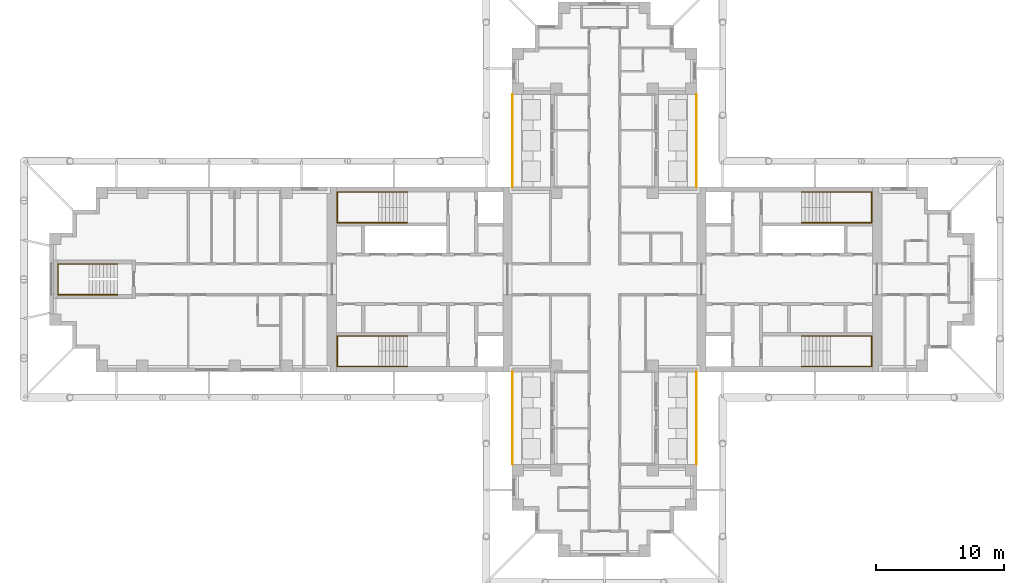
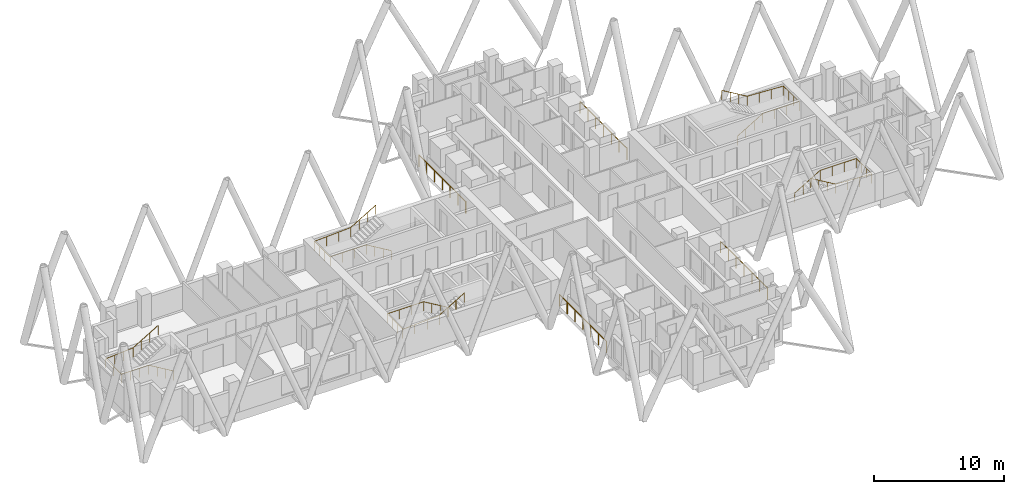
# One storey, part 11 of 12: 9 railings.
"""IFC4 building model written with IfcOpenShell, lengths in metres."""

from ifc_helpers import new_model, si_unit, direction, frame, origin, origin_2d, place, context, subcontext, project, spatial, circle, extrude, material, type_object, element, save


model = new_model("IFC4")

# Units and contexts
model_context = context("Model", 3, precision=1e-05, world=origin(), true_north=direction((0.0, 1.0)))
body_context = subcontext(model_context, "Body", "Model", "MODEL_VIEW")
ifc_project = project(units=[si_unit("LENGTHUNIT", "METRE"), si_unit("AREAUNIT", "SQUARE_METRE"), si_unit("VOLUMEUNIT", "CUBIC_METRE"), si_unit("PLANEANGLEUNIT", "RADIAN"), si_unit("MASSUNIT", "GRAM", prefix="KILO")], contexts=[model_context])

# Site, building, storey
site_placement = place(None, origin())
site = spatial("IfcSite", under=ifc_project, at=site_placement, CompositionType="ELEMENT")
building_placement = place(site_placement, origin())
building = spatial("IfcBuilding", under=site, at=building_placement, Name="Fustian Cross Tower", CompositionType="ELEMENT")
storey_placement = place(building_placement, frame((0.0, 0.0, 179.699951171875)))
storey = spatial("IfcBuildingStorey", under=building, at=storey_placement, Name="L56", CompositionType="ELEMENT", Elevation=179.699951171875)

# Railings
ifc_material_1 = material(Name="Stainless steel and glass", Category="steel")
railing_type_1 = type_object("IfcRailingType", Name="GR1 BALCONY GUARD 1100", PredefinedType="GUARDRAIL", material=ifc_material_1)
for number, where, name in (
    (1, (7.14990234375, 7.199951171875, 0.0), "Balcony guard"),
    (2, (-7.14990234375, 7.199951171875, 0.0), "Balcony guard"),
    (3, (7.14990234375, -14.39990234375, 0.0), "Balcony guard"),
    (4, (-7.14990234375, -14.39990234375, 0.0), "Balcony guard"),
):
    element("IfcRailing", number, at=place(storey_placement, frame(where)), inside=storey, type_object=railing_type_1, Name=name, PredefinedType="GUARDRAIL", context=body_context, shape_type="SweptSolid", body=[
        extrude(circle(Radius=0.02392578125, at=origin_2d()), frame((0.0, 0.0, 1.076171875), z_axis=(0.0, 1.0, 0.0), x_axis=(-1.0, 0.0, 0.0)), (0.0, 0.0, 1.0), 7.199951171875),
        extrude(circle(Radius=0.02099609375, at=origin_2d()), origin(), (0.0, 0.0, 1.0), 1.052001953125),
        extrude(circle(Radius=0.02099609375, at=origin_2d()), frame((0.0, 1.199951171875, 0.0)), (0.0, 0.0, 1.0), 1.052001953125),
        extrude(circle(Radius=0.02099609375, at=origin_2d()), frame((0.0, 2.39990234375, 0.0)), (0.0, 0.0, 1.0), 1.052001953125),
        extrude(circle(Radius=0.02099609375, at=origin_2d()), frame((0.0, 3.60009765625, 0.0)), (0.0, 0.0, 1.0), 1.052001953125),
        extrude(circle(Radius=0.02099609375, at=origin_2d()), frame((0.0, 4.800048828125, 0.0)), (0.0, 0.0, 1.0), 1.052001953125),
        extrude(circle(Radius=0.02099609375, at=origin_2d()), frame((0.0, 6.0, 0.0)), (0.0, 0.0, 1.0), 1.052001953125),
        extrude(circle(Radius=0.02099609375, at=origin_2d()), frame((0.0, 7.199951171875, 0.0)), (0.0, 0.0, 1.0), 1.052001953125),
    ])
ifc_material_2 = material(Name="Stainless steel", Category="steel")
railing_type_2 = type_object("IfcRailingType", Name="STAIR HANDRAIL", PredefinedType="HANDRAIL", material=ifc_material_2)
railing_1_placement = place(storey_placement, frame((15.35009765625, 4.39990234375, 0.166748046875)))
element("IfcRailing", 5, at=railing_1_placement, inside=storey, type_object=railing_type_2, Name="Stair ST1 handrail 1", PredefinedType="HANDRAIL", context=body_context, shape_type="SweptSolid", body=[
    extrude(circle(Radius=0.02490234375, at=origin_2d()), frame((0.0, 0.0, 0.875), z_axis=(0.859305625298, 0.0, 0.511462454469), x_axis=(0.0, 1.0, 0.0)), (0.0, 0.0, 1.0), 2.606689453125),
    extrude(circle(Radius=0.02490234375, at=origin_2d()), frame((2.239990234375, 0.0, 2.2080078125), z_axis=(1.0, 0.0, 0.0), x_axis=(0.0, 1.0, 0.0)), (0.0, 0.0, 1.0), 3.219970703125),
    extrude(circle(Radius=0.02490234375, at=origin_2d()), frame((5.4599609375, 0.0, 2.2080078125), z_axis=(0.0, 1.0, 0.0), x_axis=(-1.0, 0.0, 0.0)), (0.0, 0.0, 1.0), 2.400146484375),
    extrude(circle(Radius=0.02490234375, at=origin_2d()), frame((5.4599609375, 2.400146484375, 2.2080078125), z_axis=(-0.998661817807, 0.0, 0.051716280352), x_axis=(0.0, -1.0, 0.0)), (0.0, 0.0, 1.0), 3.224365234375),
    extrude(circle(Radius=0.02490234375, at=origin_2d()), frame((2.239990234375, 2.400146484375, 2.375), z_axis=(-0.859305625298, 0.0, 0.511462454469), x_axis=(0.0, -1.0, 0.0)), (0.0, 0.0, 1.0), 2.606689453125),
    extrude(circle(Radius=0.02001953125, at=origin_2d()), origin(), (0.0, 0.0, 1.0), 0.849853515625),
    extrude(circle(Radius=0.02001953125, at=origin_2d()), frame((0.74658203125, 0.0, 0.4443359375)), (0.0, 0.0, 1.0), 0.849853515625),
    extrude(circle(Radius=0.02001953125, at=origin_2d()), frame((1.493408203125, 0.0, 0.888916015625)), (0.0, 0.0, 1.0), 0.849853515625),
    extrude(circle(Radius=0.02001953125, at=origin_2d()), frame((2.239990234375, 0.0, 1.333251953125)), (0.0, 0.0, 1.0), 0.849853515625),
    extrude(circle(Radius=0.02001953125, at=origin_2d()), frame((3.313232421875, 0.0, 1.333251953125)), (0.0, 0.0, 1.0), 0.849853515625),
    extrude(circle(Radius=0.02001953125, at=origin_2d()), frame((4.38671875, 0.0, 1.333251953125)), (0.0, 0.0, 1.0), 0.849853515625),
    extrude(circle(Radius=0.02001953125, at=origin_2d()), frame((5.4599609375, 0.0, 1.333251953125)), (0.0, 0.0, 1.0), 0.849853515625),
    extrude(circle(Radius=0.02001953125, at=origin_2d()), frame((5.4599609375, 0.800048828125, 1.333251953125)), (0.0, 0.0, 1.0), 0.849853515625),
    extrude(circle(Radius=0.02001953125, at=origin_2d()), frame((5.4599609375, 1.60009765625, 1.333251953125)), (0.0, 0.0, 1.0), 0.849853515625),
    extrude(circle(Radius=0.02001953125, at=origin_2d()), frame((5.4599609375, 2.400146484375, 1.333251953125)), (0.0, 0.0, 1.0), 0.849853515625),
    extrude(circle(Radius=0.02001953125, at=origin_2d()), frame((4.38671875, 2.400146484375, 1.388916015625)), (0.0, 0.0, 1.0), 0.849853515625),
    extrude(circle(Radius=0.02001953125, at=origin_2d()), frame((3.313232421875, 2.400146484375, 1.4443359375)), (0.0, 0.0, 1.0), 0.849853515625),
    extrude(circle(Radius=0.02001953125, at=origin_2d()), frame((2.239990234375, 2.400146484375, 1.5)), (0.0, 0.0, 1.0), 0.849853515625),
    extrude(circle(Radius=0.02001953125, at=origin_2d()), frame((1.493408203125, 2.400146484375, 1.9443359375)), (0.0, 0.0, 1.0), 0.849853515625),
    extrude(circle(Radius=0.02001953125, at=origin_2d()), frame((0.74658203125, 2.400146484375, 2.388916015625)), (0.0, 0.0, 1.0), 0.849853515625),
    extrude(circle(Radius=0.02001953125, at=origin_2d()), frame((0.0, 2.400146484375, 2.833251953125)), (0.0, 0.0, 1.0), 0.849853515625),
])
railing_2_placement = place(storey_placement, frame((15.35009765625, -4.39990234375, 0.166748046875)))
element("IfcRailing", 6, at=railing_2_placement, inside=storey, type_object=railing_type_2, Name="Stair ST2 handrail 1", PredefinedType="HANDRAIL", context=body_context, shape_type="SweptSolid", body=[
    extrude(circle(Radius=0.02490234375, at=origin_2d()), frame((0.0, 0.0, 0.875), z_axis=(0.859305625298, 0.0, 0.511462454469), x_axis=(0.0, 1.0, 0.0)), (0.0, 0.0, 1.0), 2.606689453125),
    extrude(circle(Radius=0.02490234375, at=origin_2d()), frame((2.239990234375, 0.0, 2.2080078125), z_axis=(1.0, 0.0, 0.0), x_axis=(0.0, 1.0, 0.0)), (0.0, 0.0, 1.0), 3.219970703125),
    extrude(circle(Radius=0.02490234375, at=origin_2d()), frame((5.4599609375, 0.0, 2.2080078125), z_axis=(0.0, -1.0, 0.0), x_axis=(1.0, 0.0, 0.0)), (0.0, 0.0, 1.0), 2.400146484375),
    extrude(circle(Radius=0.02490234375, at=origin_2d()), frame((5.4599609375, -2.400146484375, 2.2080078125), z_axis=(-0.998661817807, 0.0, 0.051716280352), x_axis=(0.0, -1.0, 0.0)), (0.0, 0.0, 1.0), 3.224365234375),
    extrude(circle(Radius=0.02490234375, at=origin_2d()), frame((2.239990234375, -2.400146484375, 2.375), z_axis=(-0.859305625298, 0.0, 0.511462454469), x_axis=(0.0, -1.0, 0.0)), (0.0, 0.0, 1.0), 2.606689453125),
    extrude(circle(Radius=0.02001953125, at=origin_2d()), origin(), (0.0, 0.0, 1.0), 0.849853515625),
    extrude(circle(Radius=0.02001953125, at=origin_2d()), frame((0.74658203125, 0.0, 0.4443359375)), (0.0, 0.0, 1.0), 0.849853515625),
    extrude(circle(Radius=0.02001953125, at=origin_2d()), frame((1.493408203125, 0.0, 0.888916015625)), (0.0, 0.0, 1.0), 0.849853515625),
    extrude(circle(Radius=0.02001953125, at=origin_2d()), frame((2.239990234375, 0.0, 1.333251953125)), (0.0, 0.0, 1.0), 0.849853515625),
    extrude(circle(Radius=0.02001953125, at=origin_2d()), frame((3.313232421875, 0.0, 1.333251953125)), (0.0, 0.0, 1.0), 0.849853515625),
    extrude(circle(Radius=0.02001953125, at=origin_2d()), frame((4.38671875, 0.0, 1.333251953125)), (0.0, 0.0, 1.0), 0.849853515625),
    extrude(circle(Radius=0.02001953125, at=origin_2d()), frame((5.4599609375, 0.0, 1.333251953125)), (0.0, 0.0, 1.0), 0.849853515625),
    extrude(circle(Radius=0.02001953125, at=origin_2d()), frame((5.4599609375, -0.800048828125, 1.333251953125)), (0.0, 0.0, 1.0), 0.849853515625),
    extrude(circle(Radius=0.02001953125, at=origin_2d()), frame((5.4599609375, -1.60009765625, 1.333251953125)), (0.0, 0.0, 1.0), 0.849853515625),
    extrude(circle(Radius=0.02001953125, at=origin_2d()), frame((5.4599609375, -2.400146484375, 1.333251953125)), (0.0, 0.0, 1.0), 0.849853515625),
    extrude(circle(Radius=0.02001953125, at=origin_2d()), frame((4.38671875, -2.400146484375, 1.388916015625)), (0.0, 0.0, 1.0), 0.849853515625),
    extrude(circle(Radius=0.02001953125, at=origin_2d()), frame((3.313232421875, -2.400146484375, 1.4443359375)), (0.0, 0.0, 1.0), 0.849853515625),
    extrude(circle(Radius=0.02001953125, at=origin_2d()), frame((2.239990234375, -2.400146484375, 1.5)), (0.0, 0.0, 1.0), 0.849853515625),
    extrude(circle(Radius=0.02001953125, at=origin_2d()), frame((1.493408203125, -2.400146484375, 1.9443359375)), (0.0, 0.0, 1.0), 0.849853515625),
    extrude(circle(Radius=0.02001953125, at=origin_2d()), frame((0.74658203125, -2.400146484375, 2.388916015625)), (0.0, 0.0, 1.0), 0.849853515625),
    extrude(circle(Radius=0.02001953125, at=origin_2d()), frame((0.0, -2.400146484375, 2.833251953125)), (0.0, 0.0, 1.0), 0.849853515625),
])
railing_3_placement = place(storey_placement, frame((-15.35009765625, 4.39990234375, 0.166748046875)))
element("IfcRailing", 7, at=railing_3_placement, inside=storey, type_object=railing_type_2, Name="Stair ST3 handrail 1", PredefinedType="HANDRAIL", context=body_context, shape_type="SweptSolid", body=[
    extrude(circle(Radius=0.02490234375, at=origin_2d()), frame((0.0, 0.0, 0.875), z_axis=(-0.859305625298, 0.0, 0.511462454469), x_axis=(0.0, -1.0, 0.0)), (0.0, 0.0, 1.0), 2.606689453125),
    extrude(circle(Radius=0.02490234375, at=origin_2d()), frame((-2.239990234375, 0.0, 2.2080078125), z_axis=(-1.0, 0.0, 0.0), x_axis=(0.0, -1.0, 0.0)), (0.0, 0.0, 1.0), 3.219970703125),
    extrude(circle(Radius=0.02490234375, at=origin_2d()), frame((-5.4599609375, 0.0, 2.2080078125), z_axis=(0.0, 1.0, 0.0), x_axis=(-1.0, 0.0, 0.0)), (0.0, 0.0, 1.0), 2.400146484375),
    extrude(circle(Radius=0.02490234375, at=origin_2d()), frame((-5.4599609375, 2.400146484375, 2.2080078125), z_axis=(0.998661817807, 0.0, 0.051716280352), x_axis=(0.0, 1.0, 0.0)), (0.0, 0.0, 1.0), 3.224365234375),
    extrude(circle(Radius=0.02490234375, at=origin_2d()), frame((-2.239990234375, 2.400146484375, 2.375), z_axis=(0.859305625298, 0.0, 0.511462454469), x_axis=(0.0, 1.0, 0.0)), (0.0, 0.0, 1.0), 2.606689453125),
    extrude(circle(Radius=0.02001953125, at=origin_2d()), origin(), (0.0, 0.0, 1.0), 0.849853515625),
    extrude(circle(Radius=0.02001953125, at=origin_2d()), frame((-0.74658203125, 0.0, 0.4443359375)), (0.0, 0.0, 1.0), 0.849853515625),
    extrude(circle(Radius=0.02001953125, at=origin_2d()), frame((-1.493408203125, 0.0, 0.888916015625)), (0.0, 0.0, 1.0), 0.849853515625),
    extrude(circle(Radius=0.02001953125, at=origin_2d()), frame((-2.239990234375, 0.0, 1.333251953125)), (0.0, 0.0, 1.0), 0.849853515625),
    extrude(circle(Radius=0.02001953125, at=origin_2d()), frame((-3.313232421875, 0.0, 1.333251953125)), (0.0, 0.0, 1.0), 0.849853515625),
    extrude(circle(Radius=0.02001953125, at=origin_2d()), frame((-4.38671875, 0.0, 1.333251953125)), (0.0, 0.0, 1.0), 0.849853515625),
    extrude(circle(Radius=0.02001953125, at=origin_2d()), frame((-5.4599609375, 0.0, 1.333251953125)), (0.0, 0.0, 1.0), 0.849853515625),
    extrude(circle(Radius=0.02001953125, at=origin_2d()), frame((-5.4599609375, 0.800048828125, 1.333251953125)), (0.0, 0.0, 1.0), 0.849853515625),
    extrude(circle(Radius=0.02001953125, at=origin_2d()), frame((-5.4599609375, 1.60009765625, 1.333251953125)), (0.0, 0.0, 1.0), 0.849853515625),
    extrude(circle(Radius=0.02001953125, at=origin_2d()), frame((-5.4599609375, 2.400146484375, 1.333251953125)), (0.0, 0.0, 1.0), 0.849853515625),
    extrude(circle(Radius=0.02001953125, at=origin_2d()), frame((-4.38671875, 2.400146484375, 1.388916015625)), (0.0, 0.0, 1.0), 0.849853515625),
    extrude(circle(Radius=0.02001953125, at=origin_2d()), frame((-3.313232421875, 2.400146484375, 1.4443359375)), (0.0, 0.0, 1.0), 0.849853515625),
    extrude(circle(Radius=0.02001953125, at=origin_2d()), frame((-2.239990234375, 2.400146484375, 1.5)), (0.0, 0.0, 1.0), 0.849853515625),
    extrude(circle(Radius=0.02001953125, at=origin_2d()), frame((-1.493408203125, 2.400146484375, 1.9443359375)), (0.0, 0.0, 1.0), 0.849853515625),
    extrude(circle(Radius=0.02001953125, at=origin_2d()), frame((-0.74658203125, 2.400146484375, 2.388916015625)), (0.0, 0.0, 1.0), 0.849853515625),
    extrude(circle(Radius=0.02001953125, at=origin_2d()), frame((0.0, 2.400146484375, 2.833251953125)), (0.0, 0.0, 1.0), 0.849853515625),
])
railing_4_placement = place(storey_placement, frame((-15.35009765625, -4.39990234375, 0.166748046875)))
element("IfcRailing", 8, at=railing_4_placement, inside=storey, type_object=railing_type_2, Name="Stair ST4 handrail 1", PredefinedType="HANDRAIL", context=body_context, shape_type="SweptSolid", body=[
    extrude(circle(Radius=0.02490234375, at=origin_2d()), frame((0.0, 0.0, 0.875), z_axis=(-0.859305625298, 0.0, 0.511462454469), x_axis=(0.0, -1.0, 0.0)), (0.0, 0.0, 1.0), 2.606689453125),
    extrude(circle(Radius=0.02490234375, at=origin_2d()), frame((-2.239990234375, 0.0, 2.2080078125), z_axis=(-1.0, 0.0, 0.0), x_axis=(0.0, -1.0, 0.0)), (0.0, 0.0, 1.0), 3.219970703125),
    extrude(circle(Radius=0.02490234375, at=origin_2d()), frame((-5.4599609375, 0.0, 2.2080078125), z_axis=(0.0, -1.0, 0.0), x_axis=(1.0, 0.0, 0.0)), (0.0, 0.0, 1.0), 2.400146484375),
    extrude(circle(Radius=0.02490234375, at=origin_2d()), frame((-5.4599609375, -2.400146484375, 2.2080078125), z_axis=(0.998661817807, 0.0, 0.051716280352), x_axis=(0.0, 1.0, 0.0)), (0.0, 0.0, 1.0), 3.224365234375),
    extrude(circle(Radius=0.02490234375, at=origin_2d()), frame((-2.239990234375, -2.400146484375, 2.375), z_axis=(0.859305625298, 0.0, 0.511462454469), x_axis=(0.0, 1.0, 0.0)), (0.0, 0.0, 1.0), 2.606689453125),
    extrude(circle(Radius=0.02001953125, at=origin_2d()), origin(), (0.0, 0.0, 1.0), 0.849853515625),
    extrude(circle(Radius=0.02001953125, at=origin_2d()), frame((-0.74658203125, 0.0, 0.4443359375)), (0.0, 0.0, 1.0), 0.849853515625),
    extrude(circle(Radius=0.02001953125, at=origin_2d()), frame((-1.493408203125, 0.0, 0.888916015625)), (0.0, 0.0, 1.0), 0.849853515625),
    extrude(circle(Radius=0.02001953125, at=origin_2d()), frame((-2.239990234375, 0.0, 1.333251953125)), (0.0, 0.0, 1.0), 0.849853515625),
    extrude(circle(Radius=0.02001953125, at=origin_2d()), frame((-3.313232421875, 0.0, 1.333251953125)), (0.0, 0.0, 1.0), 0.849853515625),
    extrude(circle(Radius=0.02001953125, at=origin_2d()), frame((-4.38671875, 0.0, 1.333251953125)), (0.0, 0.0, 1.0), 0.849853515625),
    extrude(circle(Radius=0.02001953125, at=origin_2d()), frame((-5.4599609375, 0.0, 1.333251953125)), (0.0, 0.0, 1.0), 0.849853515625),
    extrude(circle(Radius=0.02001953125, at=origin_2d()), frame((-5.4599609375, -0.800048828125, 1.333251953125)), (0.0, 0.0, 1.0), 0.849853515625),
    extrude(circle(Radius=0.02001953125, at=origin_2d()), frame((-5.4599609375, -1.60009765625, 1.333251953125)), (0.0, 0.0, 1.0), 0.849853515625),
    extrude(circle(Radius=0.02001953125, at=origin_2d()), frame((-5.4599609375, -2.400146484375, 1.333251953125)), (0.0, 0.0, 1.0), 0.849853515625),
    extrude(circle(Radius=0.02001953125, at=origin_2d()), frame((-4.38671875, -2.400146484375, 1.388916015625)), (0.0, 0.0, 1.0), 0.849853515625),
    extrude(circle(Radius=0.02001953125, at=origin_2d()), frame((-3.313232421875, -2.400146484375, 1.4443359375)), (0.0, 0.0, 1.0), 0.849853515625),
    extrude(circle(Radius=0.02001953125, at=origin_2d()), frame((-2.239990234375, -2.400146484375, 1.5)), (0.0, 0.0, 1.0), 0.849853515625),
    extrude(circle(Radius=0.02001953125, at=origin_2d()), frame((-1.493408203125, -2.400146484375, 1.9443359375)), (0.0, 0.0, 1.0), 0.849853515625),
    extrude(circle(Radius=0.02001953125, at=origin_2d()), frame((-0.74658203125, -2.400146484375, 2.388916015625)), (0.0, 0.0, 1.0), 0.849853515625),
    extrude(circle(Radius=0.02001953125, at=origin_2d()), frame((0.0, -2.400146484375, 2.833251953125)), (0.0, 0.0, 1.0), 0.849853515625),
])
railing_5_placement = place(storey_placement, frame((-37.89990234375, -1.199951171875, 0.166748046875)))
element("IfcRailing", 9, at=railing_5_placement, inside=storey, type_object=railing_type_2, Name="Stair ST9 handrail 1", PredefinedType="HANDRAIL", context=body_context, shape_type="SweptSolid", body=[
    extrude(circle(Radius=0.02490234375, at=origin_2d()), frame((0.0, 0.0, 0.875), z_axis=(-0.859305625298, 0.0, 0.511462454469), x_axis=(0.0, -1.0, 0.0)), (0.0, 0.0, 1.0), 2.606689453125),
    extrude(circle(Radius=0.02490234375, at=origin_2d()), frame((-2.239990234375, 0.0, 2.2080078125), z_axis=(-1.0, 0.0, 0.0), x_axis=(0.0, -1.0, 0.0)), (0.0, 0.0, 1.0), 2.420166015625),
    extrude(circle(Radius=0.02490234375, at=origin_2d()), frame((-4.66015625, 0.0, 2.2080078125), z_axis=(0.0, 1.0, 0.0), x_axis=(-1.0, 0.0, 0.0)), (0.0, 0.0, 1.0), 2.39990234375),
    extrude(circle(Radius=0.02490234375, at=origin_2d()), frame((-4.66015625, 2.39990234375, 2.2080078125), z_axis=(0.997634852044, 0.0, 0.068736467663), x_axis=(0.0, 1.0, 0.0)), (0.0, 0.0, 1.0), 2.426025390625),
    extrude(circle(Radius=0.02490234375, at=origin_2d()), frame((-2.239990234375, 2.39990234375, 2.375), z_axis=(0.859305625298, 0.0, 0.511462454469), x_axis=(0.0, 1.0, 0.0)), (0.0, 0.0, 1.0), 2.606689453125),
    extrude(circle(Radius=0.02001953125, at=origin_2d()), origin(), (0.0, 0.0, 1.0), 0.849853515625),
    extrude(circle(Radius=0.02001953125, at=origin_2d()), frame((-0.74658203125, 0.0, 0.4443359375)), (0.0, 0.0, 1.0), 0.849853515625),
    extrude(circle(Radius=0.02001953125, at=origin_2d()), frame((-1.493408203125, 0.0, 0.888916015625)), (0.0, 0.0, 1.0), 0.849853515625),
    extrude(circle(Radius=0.02001953125, at=origin_2d()), frame((-2.239990234375, 0.0, 1.333251953125)), (0.0, 0.0, 1.0), 0.849853515625),
    extrude(circle(Radius=0.02001953125, at=origin_2d()), frame((-3.046630859375, 0.0, 1.333251953125)), (0.0, 0.0, 1.0), 0.849853515625),
    extrude(circle(Radius=0.02001953125, at=origin_2d()), frame((-3.853515625, 0.0, 1.333251953125)), (0.0, 0.0, 1.0), 0.849853515625),
    extrude(circle(Radius=0.02001953125, at=origin_2d()), frame((-4.66015625, 0.0, 1.333251953125)), (0.0, 0.0, 1.0), 0.849853515625),
    extrude(circle(Radius=0.02001953125, at=origin_2d()), frame((-4.66015625, 1.199951171875, 1.333251953125)), (0.0, 0.0, 1.0), 0.849853515625),
    extrude(circle(Radius=0.02001953125, at=origin_2d()), frame((-4.66015625, 2.39990234375, 1.333251953125)), (0.0, 0.0, 1.0), 0.849853515625),
    extrude(circle(Radius=0.02001953125, at=origin_2d()), frame((-3.853515625, 2.39990234375, 1.388916015625)), (0.0, 0.0, 1.0), 0.849853515625),
    extrude(circle(Radius=0.02001953125, at=origin_2d()), frame((-3.046630859375, 2.39990234375, 1.4443359375)), (0.0, 0.0, 1.0), 0.849853515625),
    extrude(circle(Radius=0.02001953125, at=origin_2d()), frame((-2.239990234375, 2.39990234375, 1.5)), (0.0, 0.0, 1.0), 0.849853515625),
    extrude(circle(Radius=0.02001953125, at=origin_2d()), frame((-1.493408203125, 2.39990234375, 1.9443359375)), (0.0, 0.0, 1.0), 0.849853515625),
    extrude(circle(Radius=0.02001953125, at=origin_2d()), frame((-0.74658203125, 2.39990234375, 2.388916015625)), (0.0, 0.0, 1.0), 0.849853515625),
    extrude(circle(Radius=0.02001953125, at=origin_2d()), frame((0.0, 2.39990234375, 2.833251953125)), (0.0, 0.0, 1.0), 0.849853515625),
])

save(model, "model.ifc")
